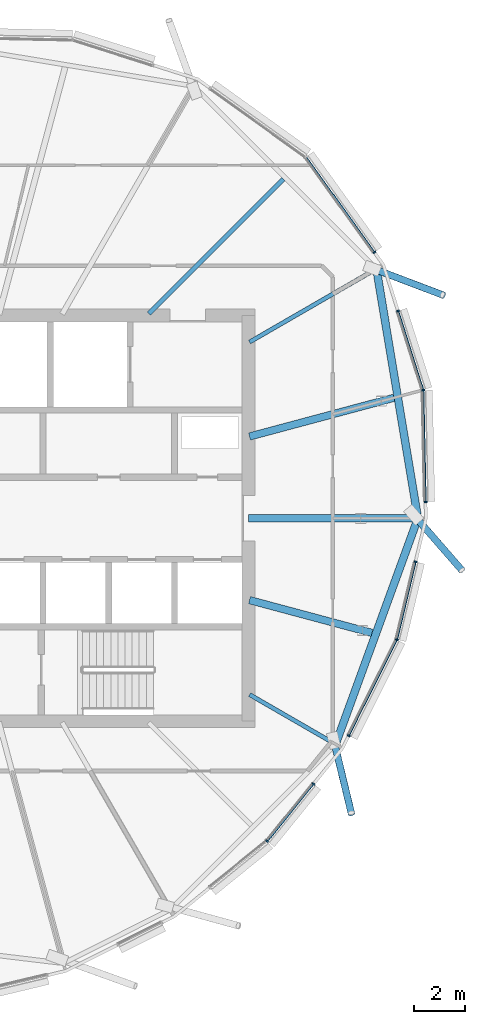
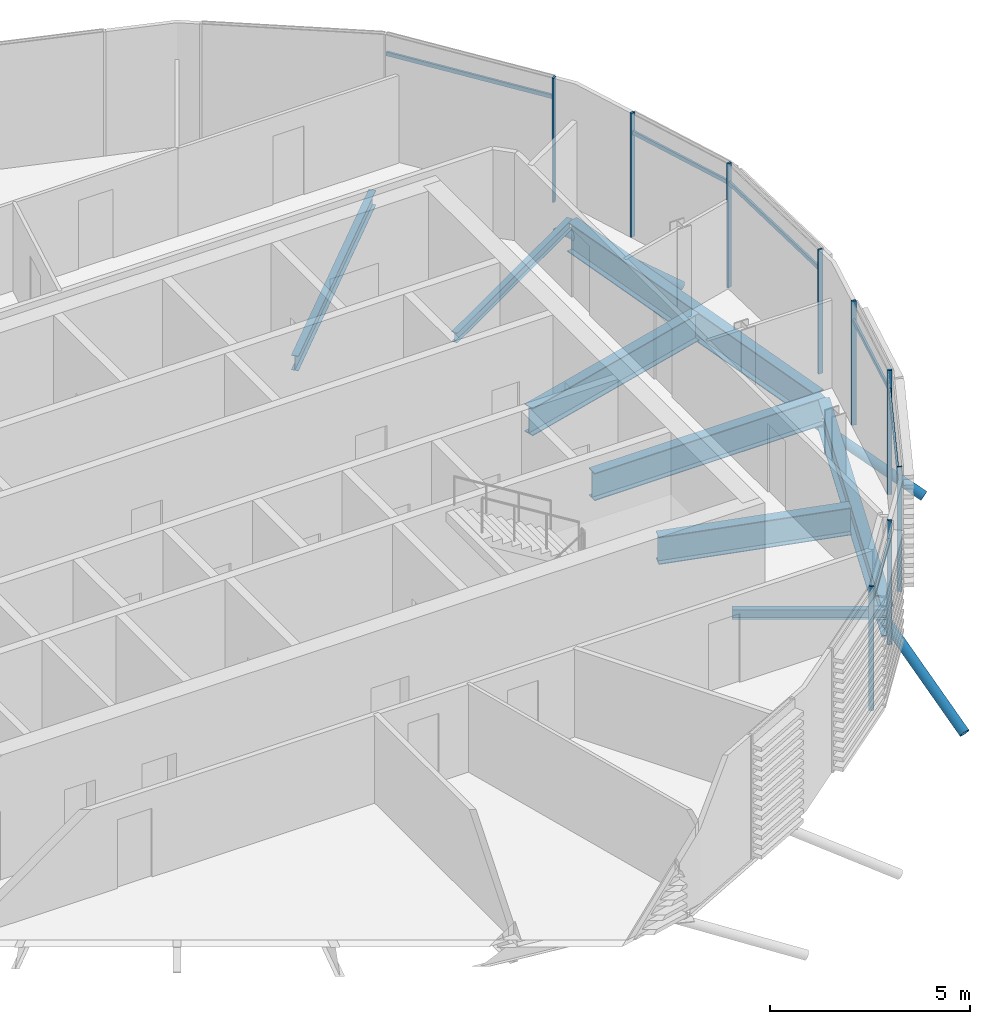
# One storey, part 12 of 34: 18 members, 8 beams, 1 element without a shape of its own.
"""IFC4 building model written with IfcOpenShell, lengths in metres."""

from ifc_helpers import new_model, si_unit, direction, frame, origin, origin_2d, place, context, subcontext, project, spatial, rectangle, hollow_circle, i_section, extrude, clip, halfspace, material, material_profile, profile_set, type_object, element, aggregate, save


model = new_model("IFC4")

# Units and contexts
model_context = context("Model", 3, precision=1e-05, world=origin(), true_north=direction((0.0, 1.0)))
body_context = subcontext(model_context, "Body", "Model", "MODEL_VIEW")
ifc_project = project(units=[si_unit("LENGTHUNIT", "METRE"), si_unit("AREAUNIT", "SQUARE_METRE"), si_unit("VOLUMEUNIT", "CUBIC_METRE"), si_unit("PLANEANGLEUNIT", "RADIAN"), si_unit("MASSUNIT", "GRAM", prefix="KILO")], contexts=[model_context])

# Site, building, storey
site_placement = place(None, origin())
site = spatial("IfcSite", under=ifc_project, at=site_placement, CompositionType="ELEMENT")
building_placement = place(site_placement, origin())
building = spatial("IfcBuilding", under=site, at=building_placement, Name="Rimbun Link Towers", CompositionType="ELEMENT")
storey_placement = place(building_placement, frame((0.0, 0.0, 252.300048828125)))
storey = spatial("IfcBuildingStorey", under=building, at=storey_placement, Name="L62", CompositionType="ELEMENT", Elevation=252.300048828125)

# Curtain wall, members
ifc_material_1 = material(Name="Aluminium 6063-T6 and low-iron glass", Category="aluminium")
curtain_wall_type = type_object("IfcCurtainWallType", Name="CW1-Z4 unitised vision wall (zone 4)", PredefinedType="NOTDEFINED", material=ifc_material_1)
curtain_wall_placement = place(storey_placement, origin())
curtain_wall = element("IfcCurtainWall", 1, at=curtain_wall_placement, inside=storey, type_object=curtain_wall_type, Name="CW1 L62 T2", PredefinedType="NOTDEFINED")
ifc_material_2 = material(Name="Aluminium 6063-T6", Category="aluminium")
ifc_material_profile_1 = material_profile(ifc_material_2, rectangle(XDim=0.1201171875, YDim=0.06005859375, at=origin_2d()), Name="MULLION 60X120")
ifc_profile_set_1 = profile_set([ifc_material_profile_1], Name="Aluminium 6063-T6")
member_type_1 = type_object("IfcMemberType", Name="CW1 mullion 60X120", PredefinedType="MULLION", material=ifc_profile_set_1)
member_1_placement = place(storey_placement, frame((44.4873046875, -12.7373046875, 0.0), z_axis=(0.0, 0.0, 1.0), x_axis=(0.707106781187, -0.707106781187, 0.0)))
member_1 = element("IfcMember", 2, at=member_1_placement, type_object=member_type_1, Name="CW1 mullion", PredefinedType="MULLION", context=body_context, shape_type="SweptSolid", body=[
    extrude(rectangle(XDim=0.1201171875, YDim=0.06005859375, at=origin_2d()), origin(), (0.0, 0.0, 1.0), 3.800048828125),
])
member_2_placement = place(storey_placement, frame((46.31884765625, -10.47509765625, 0.0), z_axis=(0.0, 0.0, 1.0), x_axis=(0.777276551105, -0.629159092045, 0.0)))
member_2 = element("IfcMember", 3, at=member_2_placement, type_object=member_type_1, Name="CW1 mullion", PredefinedType="MULLION", context=body_context, shape_type="SweptSolid", body=[
    extrude(rectangle(XDim=0.1201171875, YDim=0.06005859375, at=origin_2d()), origin(), (0.0, 0.0, 1.0), 3.800048828125),
])
member_3_placement = place(storey_placement, frame((49.60498046875, -4.789794921875, 0.0), z_axis=(0.0, 0.0, 1.0), x_axis=(0.939348063646, -0.342965326709, 0.0)))
member_3 = element("IfcMember", 4, at=member_3_placement, type_object=member_type_1, Name="CW1 mullion", PredefinedType="MULLION", context=body_context, shape_type="SweptSolid", body=[
    extrude(rectangle(XDim=0.1201171875, YDim=0.06005859375, at=origin_2d()), origin(), (0.0, 0.0, 1.0), 3.800048828125),
])
member_4_placement = place(storey_placement, frame((47.705078125, -8.57373046875, 0.0), z_axis=(0.0, 0.0, 1.0), x_axis=(0.893647148893, -0.4487702901, 0.0)))
member_4 = element("IfcMember", 5, at=member_4_placement, type_object=member_type_1, Name="CW1 mullion", PredefinedType="MULLION", context=body_context, shape_type="SweptSolid", body=[
    extrude(rectangle(XDim=0.1201171875, YDim=0.06005859375, at=origin_2d()), origin(), (0.0, 0.0, 1.0), 3.800048828125),
])
member_5_placement = place(storey_placement, frame((50.340576171875, -1.716064453125, 0.0), z_axis=(0.0, 0.0, 1.0), x_axis=(0.972571370192, -0.232604664363, 0.0)))
member_5 = element("IfcMember", 6, at=member_5_placement, type_object=member_type_1, Name="CW1 mullion", PredefinedType="MULLION", context=body_context, shape_type="SweptSolid", body=[
    extrude(rectangle(XDim=0.1201171875, YDim=0.06005859375, at=origin_2d()), origin(), (0.0, 0.0, 1.0), 3.800048828125),
])
member_6_placement = place(storey_placement, frame((50.64208984375, 5.05615234375, 0.0), z_axis=(0.0, 0.0, 1.0), x_axis=(0.986503194566, 0.163742013886, 0.0)))
member_6 = element("IfcMember", 7, at=member_6_placement, type_object=member_type_1, Name="CW1 mullion", PredefinedType="MULLION", context=body_context, shape_type="SweptSolid", body=[
    extrude(rectangle(XDim=0.1201171875, YDim=0.06005859375, at=origin_2d()), origin(), (0.0, 0.0, 1.0), 3.800048828125),
])
member_7_placement = place(storey_placement, frame((50.735595703125, 0.651123046875, 0.0), z_axis=(0.0, 0.0, 1.0), x_axis=(0.999778207989, 0.021060266635, 0.0)))
member_7 = element("IfcMember", 8, at=member_7_placement, type_object=member_type_1, Name="CW1 mullion", PredefinedType="MULLION", context=body_context, shape_type="SweptSolid", body=[
    extrude(rectangle(XDim=0.1201171875, YDim=0.06005859375, at=origin_2d()), origin(), (0.0, 0.0, 1.0), 3.800048828125),
])
member_8_placement = place(storey_placement, frame((49.650390625, 8.1767578125, 0.0), z_axis=(0.0, 0.0, 1.0), x_axis=(0.952971021704, 0.303061432375, 0.0)))
member_8 = element("IfcMember", 9, at=member_8_placement, type_object=member_type_1, Name="CW1 mullion", PredefinedType="MULLION", context=body_context, shape_type="SweptSolid", body=[
    extrude(rectangle(XDim=0.1201171875, YDim=0.06005859375, at=origin_2d()), origin(), (0.0, 0.0, 1.0), 3.800048828125),
])
member_9_placement = place(storey_placement, frame((48.71630859375, 10.49169921875, 0.0), z_axis=(0.0, 0.0, 1.0), x_axis=(0.812465398272, 0.583009413827, 0.0)))
member_9 = element("IfcMember", 10, at=member_9_placement, type_object=member_type_1, Name="CW1 mullion", PredefinedType="MULLION", context=body_context, shape_type="SweptSolid", body=[
    extrude(rectangle(XDim=0.1201171875, YDim=0.06005859375, at=origin_2d()), origin(), (0.0, 0.0, 1.0), 3.800048828125),
])
ifc_material_3 = material(Name="Aluminium 6063-T6", Category="aluminium")
ifc_material_profile_2 = material_profile(ifc_material_3, rectangle(XDim=0.06005859375, YDim=0.1201171875, at=origin_2d()), Name="TRANSOM 60X120")
ifc_profile_set_2 = profile_set([ifc_material_profile_2], Name="Aluminium 6063-T6")
member_type_2 = type_object("IfcMemberType", Name="CW1 transom 60X120", PredefinedType="USERDEFINED", material=ifc_profile_set_2)
member_10_placement = place(storey_placement, frame((46.29833984375, -10.497314453125, 3.199951171875), z_axis=(-0.629185882158, -0.777254865339, 0.0), x_axis=(0.777254865339, -0.629185882158, 0.0)))
member_10 = element("IfcMember", 11, at=member_10_placement, type_object=member_type_2, Name="CW1 transom", ObjectType="TRANSOM", PredefinedType="USERDEFINED", context=body_context, shape_type="SweptSolid", body=[
    extrude(rectangle(XDim=0.06005859375, YDim=0.1201171875, at=origin_2d()), origin(), (0.0, 0.0, 1.0), 2.84423828125),
])
member_11_placement = place(storey_placement, frame((49.5869140625, -4.822021484375, 3.199951171875), z_axis=(-0.448783061239, -0.893640735388, 0.0), x_axis=(0.893640735388, -0.448783061239, 0.0)))
member_11 = element("IfcMember", 12, at=member_11_placement, type_object=member_type_2, Name="CW1 transom", ObjectType="TRANSOM", PredefinedType="USERDEFINED", context=body_context, shape_type="SweptSolid", body=[
    extrude(rectangle(XDim=0.06005859375, YDim=0.1201171875, at=origin_2d()), origin(), (0.0, 0.0, 1.0), 4.1669921875),
])
member_12_placement = place(storey_placement, frame((50.33154296875, -1.74462890625, 3.199951171875), z_axis=(-0.232569967618, -0.972579667771, 0.0), x_axis=(0.972579667771, -0.232569967618, 0.0)))
member_12 = element("IfcMember", 13, at=member_12_placement, type_object=member_type_2, Name="CW1 transom", ObjectType="TRANSOM", PredefinedType="USERDEFINED", context=body_context, shape_type="SweptSolid", body=[
    extrude(rectangle(XDim=0.06005859375, YDim=0.1201171875, at=origin_2d()), origin(), (0.0, 0.0, 1.0), 3.093505859375),
])
member_13_placement = place(storey_placement, frame((50.6416015625, 5.017578125, 3.199951171875), z_axis=(0.02105152115, -0.999778392174, 0.0), x_axis=(0.999778392174, 0.02105152115, 0.0)))
member_13 = element("IfcMember", 14, at=member_13_placement, type_object=member_type_2, Name="CW1 transom", ObjectType="TRANSOM", PredefinedType="USERDEFINED", context=body_context, shape_type="SweptSolid", body=[
    extrude(rectangle(XDim=0.06005859375, YDim=0.1201171875, at=origin_2d()), origin(), (0.0, 0.0, 1.0), 4.33740234375),
])
member_14_placement = place(storey_placement, frame((49.657470703125, 8.147705078125, 3.199951171875), z_axis=(0.303084212278, -0.952963776997, 0.0), x_axis=(0.952963776997, 0.303084212278, 0.0)))
member_14 = element("IfcMember", 15, at=member_14_placement, type_object=member_type_2, Name="CW1 transom", ObjectType="TRANSOM", PredefinedType="USERDEFINED", context=body_context, shape_type="SweptSolid", body=[
    extrude(rectangle(XDim=0.06005859375, YDim=0.1201171875, at=origin_2d()), origin(), (0.0, 0.0, 1.0), 3.2060546875),
])
member_15_placement = place(storey_placement, frame((46.032958984375, 14.227783203125, 3.199951171875), z_axis=(0.582975350836, -0.812489840132, 0.0), x_axis=(0.812489840132, 0.582975350836, 0.0)))
member_15 = element("IfcMember", 16, at=member_15_placement, type_object=member_type_2, Name="CW1 transom", ObjectType="TRANSOM", PredefinedType="USERDEFINED", context=body_context, shape_type="SweptSolid", body=[
    extrude(rectangle(XDim=0.06005859375, YDim=0.1201171875, at=origin_2d()), origin(), (0.0, 0.0, 1.0), 4.56982421875),
])
aggregate(curtain_wall, [member_1, member_2, member_3, member_4, member_5, member_6, member_7, member_8, member_9, member_10, member_11, member_12, member_13, member_14, member_15])

# Members
ifc_material_4 = material(Name="Steel S355J2H", Category="steel")
ifc_material_profile_3 = material_profile(ifc_material_4, hollow_circle(Radius=0.136474609375, WallThickness=0.012451171875, at=origin_2d()), Name="CHS 273x12.5")
ifc_profile_set_3 = profile_set([ifc_material_profile_3], Name="Steel S355J2H")
member_type_3 = type_object("IfcMemberType", Name="Floor edge link CHS 273x12.5", PredefinedType="BRACE", material=ifc_profile_set_3)
member_16_placement = place(storey_placement, frame((47.14208984375, -8.88671875, -0.5556640625), z_axis=(0.193472895949, -0.798701222914, -0.569775916523), x_axis=(0.971892340442, 0.235425739015, 0.0)))
element("IfcMember", 17, at=member_16_placement, inside=storey, type_object=member_type_3, Name="Floor edge link T2 L62 19", PredefinedType="BRACE", context=body_context, shape_type="Clipping", body=[
    clip(extrude(hollow_circle(Radius=0.136474609375, WallThickness=0.012451171875, at=origin_2d()), frame((0.0, 0.0, -0.411376953125)), (0.0, 0.0, 1.0), 3.875244140625), halfspace(frame((0.0, 0.0, -0.193359375), z_axis=(0.0, 0.821800100359, -0.569775916523)), False)),
])
member_17_placement = place(storey_placement, frame((50.382080078125, 0.0, -1.099853515625), z_axis=(0.574069939625, -0.65887394815, -0.486136631893), x_axis=(0.753961442546, 0.656918673166, 0.0)))
element("IfcMember", 18, at=member_17_placement, inside=storey, type_object=member_type_3, Name="Floor edge link T2 L62 21", PredefinedType="BRACE", context=body_context, shape_type="Clipping", body=[
    clip(extrude(hollow_circle(Radius=0.136474609375, WallThickness=0.012451171875, at=origin_2d()), frame((0.0, 0.0, -0.51123046875)), (0.0, 0.0, 1.0), 3.632080078125), halfspace(frame((0.0, 0.0, -0.240966796875), z_axis=(0.0, 0.873882815446, -0.486136631893)), False)),
])
member_18_placement = place(storey_placement, frame((48.75244140625, 9.81640625, -0.555908203125), z_axis=(0.770060760462, -0.291746026606, -0.567354105613), x_axis=(0.354286899444, 0.935136777633, 0.0)))
element("IfcMember", 19, at=member_18_placement, inside=storey, type_object=member_type_3, Name="Floor edge link T2 L62 23", PredefinedType="BRACE", context=body_context, shape_type="Clipping", body=[
    clip(extrude(hollow_circle(Radius=0.136474609375, WallThickness=0.012451171875, at=origin_2d()), frame((0.0, 0.0, -0.413818359375)), (0.0, 0.0, 1.0), 3.893310546875), halfspace(frame((0.0, 0.0, -0.194580078125), z_axis=(0.0, 0.823473933312, -0.567354105613)), False)),
])

# Beams
ifc_material_5 = material(Name="Steel S355J2", Category="steel")
ifc_material_profile_4 = material_profile(ifc_material_5, i_section(OverallWidth=0.1650390625, OverallDepth=0.303466796875, WebThickness=0.006103515625, FlangeThickness=0.01025390625, at=origin_2d()), Name="UB 305x165x40")
ifc_profile_set_4 = profile_set([ifc_material_profile_4], Name="Steel S355J2")
beam_type_1 = type_object("IfcBeamType", Name="UB 305x165x40", PredefinedType="BEAM", material=ifc_profile_set_4)
beam_1_placement = place(storey_placement, frame((43.7919921875, -6.952392578125, -0.291748046875), z_axis=(0.866029956157, -0.499992114976, 0.0), x_axis=(0.499992114976, 0.866029956157, 0.0)))
element("IfcBeam", 20, at=beam_1_placement, inside=storey, type_object=beam_type_1, Name="Radial beam T2 L62 19", PredefinedType="BEAM", context=body_context, shape_type="SweptSolid", body=[
    extrude(i_section(OverallWidth=0.1650390625, OverallDepth=0.303466796875, WebThickness=0.006103515625, FlangeThickness=0.01025390625, at=origin_2d()), origin(), (0.0, 0.0, 1.0), 3.91845703125),
])
beam_2_placement = place(storey_placement, frame((43.7919921875, 6.952392578125, -0.291748046875), z_axis=(0.866021630302, 0.500006535807, 0.0), x_axis=(-0.500006535807, 0.866021630302, 0.0)))
element("IfcBeam", 21, at=beam_2_placement, inside=storey, type_object=beam_type_1, Name="Radial beam T2 L62 23", PredefinedType="BEAM", context=body_context, shape_type="SweptSolid", body=[
    extrude(i_section(OverallWidth=0.1650390625, OverallDepth=0.303466796875, WebThickness=0.006103515625, FlangeThickness=0.01025390625, at=origin_2d()), origin(), (0.0, 0.0, 1.0), 5.77783203125),
])
ifc_material_6 = material(Name="Steel S355J2", Category="steel")
ifc_material_profile_5 = material_profile(ifc_material_6, i_section(OverallWidth=0.18994140625, OverallDepth=0.453369140625, WebThickness=0.008544921875, FlangeThickness=0.0126953125, at=origin_2d()), Name="UB 457x191x67")
ifc_profile_set_5 = profile_set([ifc_material_profile_5], Name="Steel S355J2")
beam_type_2 = type_object("IfcBeamType", Name="UB 457x191x67", PredefinedType="BEAM", material=ifc_profile_set_5)
beam_3_placement = place(storey_placement, frame((39.81787109375, 8.06787109375, -0.36669921875), z_axis=(0.707106781187, 0.707106781187, 0.0), x_axis=(-0.707106781187, 0.707106781187, 0.0)))
element("IfcBeam", 22, at=beam_3_placement, inside=storey, type_object=beam_type_2, Name="Radial beam T2 L62 00", PredefinedType="BEAM", context=body_context, shape_type="SweptSolid", body=[
    extrude(i_section(OverallWidth=0.18994140625, OverallDepth=0.453369140625, WebThickness=0.008544921875, FlangeThickness=0.0126953125, at=origin_2d()), origin(), (0.0, 0.0, 1.0), 7.51220703125),
])
ifc_material_7 = material(Name="Steel S355J2", Category="steel")
ifc_material_profile_6 = material_profile(ifc_material_7, i_section(OverallWidth=0.29248046875, OverallDepth=0.8408203125, WebThickness=0.0126953125, FlangeThickness=0.021728515625, at=origin_2d()), Name="UB 838x292x194")
ifc_profile_set_6 = profile_set([ifc_material_profile_6], Name="Steel S355J2")
beam_type_3 = type_object("IfcBeamType", Name="UB 838x292x194", PredefinedType="BEAM", material=ifc_profile_set_6)
beam_4_placement = place(storey_placement, frame((43.788818359375, -3.225830078125, -0.560302734375), z_axis=(0.965926488261, -0.258816574576, 0.0), x_axis=(0.258816574576, 0.965926488261, 0.0)))
element("IfcBeam", 23, at=beam_4_placement, inside=storey, type_object=beam_type_3, Name="Radial beam T2 L62 20", PredefinedType="BEAM", context=body_context, shape_type="SweptSolid", body=[
    extrude(i_section(OverallWidth=0.29248046875, OverallDepth=0.8408203125, WebThickness=0.0126953125, FlangeThickness=0.021728515625, at=origin_2d()), origin(), (0.0, 0.0, 1.0), 5.003173828125),
])
beam_5_placement = place(storey_placement, frame((43.7509765625, 0.0, -0.560302734375), z_axis=(1.0, 0.0, 0.0), x_axis=(0.0, 1.0, 0.0)))
element("IfcBeam", 24, at=beam_5_placement, inside=storey, type_object=beam_type_3, Name="Radial beam T2 L62 21", PredefinedType="BEAM", context=body_context, shape_type="SweptSolid", body=[
    extrude(i_section(OverallWidth=0.29248046875, OverallDepth=0.8408203125, WebThickness=0.0126953125, FlangeThickness=0.021728515625, at=origin_2d()), origin(), (0.0, 0.0, 1.0), 6.68115234375),
])
beam_6_placement = place(storey_placement, frame((43.788818359375, 3.225830078125, -0.560302734375), z_axis=(0.965924401919, 0.258824360867, 0.0), x_axis=(-0.258824360867, 0.965924401919, 0.0)))
element("IfcBeam", 25, at=beam_6_placement, inside=storey, type_object=beam_type_3, Name="Radial beam T2 L62 22", PredefinedType="BEAM", context=body_context, shape_type="SweptSolid", body=[
    extrude(i_section(OverallWidth=0.29248046875, OverallDepth=0.8408203125, WebThickness=0.0126953125, FlangeThickness=0.021728515625, at=origin_2d()), origin(), (0.0, 0.0, 1.0), 5.898193359375),
])
ifc_material_8 = material(Name="Steel S355J2", Category="steel")
ifc_material_profile_7 = material_profile(ifc_material_8, i_section(OverallWidth=0.305419921875, OverallDepth=0.91845703125, WebThickness=0.017333984375, FlangeThickness=0.02783203125, at=origin_2d()), Name="UB 914x305x253")
ifc_profile_set_7 = profile_set([ifc_material_profile_7], Name="Steel S355J2")
beam_type_4 = type_object("IfcBeamType", Name="UB 914x305x253", PredefinedType="BEAM", material=ifc_profile_set_7)
beam_7_placement = place(storey_placement, frame((47.214599609375, -8.83203125, -0.599365234375), z_axis=(0.342288041979, 0.939595070399, 0.0), x_axis=(-0.939595070399, 0.342288041979, 0.0)))
element("IfcBeam", 26, at=beam_7_placement, inside=storey, type_object=beam_type_4, Name="Edge beam T2 L62 19-21", PredefinedType="BEAM", context=body_context, shape_type="SweptSolid", body=[
    extrude(i_section(OverallWidth=0.305419921875, OverallDepth=0.91845703125, WebThickness=0.017333984375, FlangeThickness=0.02783203125, at=origin_2d()), origin(), (0.0, 0.0, 1.0), 9.2431640625),
])
beam_8_placement = place(storey_placement, frame((50.40771484375, 0.147216796875, -0.599365234375), z_axis=(-0.16403714604, 0.986454162503, 0.0), x_axis=(-0.986454162503, -0.16403714604, 0.0)))
element("IfcBeam", 27, at=beam_8_placement, inside=storey, type_object=beam_type_4, Name="Edge beam T2 L62 21-23", PredefinedType="BEAM", context=body_context, shape_type="SweptSolid", body=[
    extrude(i_section(OverallWidth=0.305419921875, OverallDepth=0.91845703125, WebThickness=0.017333984375, FlangeThickness=0.02783203125, at=origin_2d()), origin(), (0.0, 0.0, 1.0), 9.738037109375),
])

save(model, "model.ifc")
